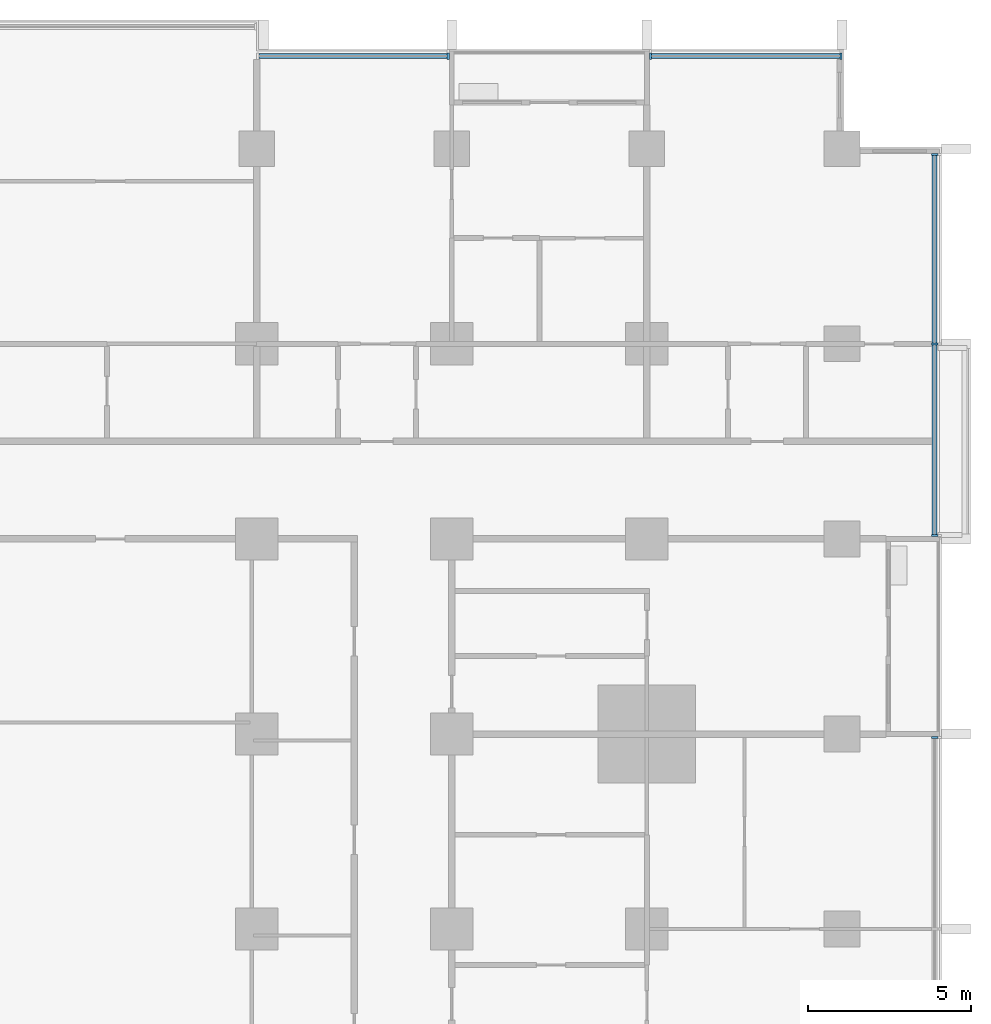
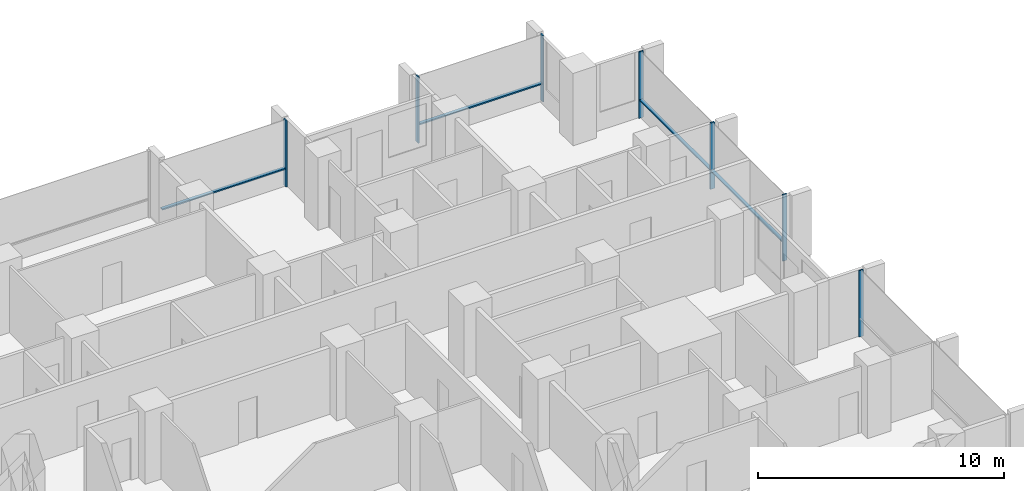
# One storey, part 5 of 18: 11 members, 4 elements without a shape of their own.
"""IFC4 building model written with IfcOpenShell, lengths in metres."""

from ifc_helpers import new_model, si_unit, direction, frame, origin, origin_2d, place, context, subcontext, project, spatial, rectangle, extrude, material, material_profile, profile_set, type_object, element, aggregate, save


model = new_model("IFC4")

# Units and contexts
model_context = context("Model", 3, precision=1e-05, world=origin(), true_north=direction((0.0, 1.0)))
body_context = subcontext(model_context, "Body", "Model", "MODEL_VIEW")
ifc_project = project(units=[si_unit("LENGTHUNIT", "METRE"), si_unit("AREAUNIT", "SQUARE_METRE"), si_unit("VOLUMEUNIT", "CUBIC_METRE"), si_unit("PLANEANGLEUNIT", "RADIAN"), si_unit("MASSUNIT", "GRAM", prefix="KILO")], contexts=[model_context])

# Site, building, storey
site_placement = place(None, origin())
site = spatial("IfcSite", under=ifc_project, at=site_placement, CompositionType="ELEMENT")
building_placement = place(site_placement, origin())
building = spatial("IfcBuilding", under=site, at=building_placement, Name="Finial Court Residences", CompositionType="ELEMENT")
storey_placement = place(building_placement, frame((0.0, 0.0, 68.5)))
storey = spatial("IfcBuildingStorey", under=building, at=storey_placement, Name="L16", CompositionType="ELEMENT", Elevation=68.5)

# Curtain wall, member
ifc_material = material(Name="Bronze anodised aluminium", Category="aluminium")
curtain_wall_type = type_object("IfcCurtainWallType", Name="Unitised curtain wall, lower and middle zones", PredefinedType="NOTDEFINED", material=ifc_material)
curtain_wall_1_placement = place(storey_placement, origin())
curtain_wall_1 = element("IfcCurtainWall", 1, at=curtain_wall_1_placement, inside=storey, type_object=curtain_wall_type, Name="E-L16-CW-N3", PredefinedType="NOTDEFINED")
ifc_material_profile_1 = material_profile(ifc_material, rectangle(XDim=0.199951171875, YDim=0.06494140625, at=origin_2d()), Name="CW1 mullion 65 x 200")
ifc_profile_set_1 = profile_set([ifc_material_profile_1], Name="Bronze anodised aluminium")
member_type_1 = type_object("IfcMemberType", Name="CW1 mullion 65 x 200", PredefinedType="MULLION", material=ifc_profile_set_1)
member_1_placement = place(storey_placement, frame((10.392578125, 28.35009765625, 0.0), z_axis=(0.0, 0.0, 1.0), x_axis=(0.0, 1.0, 0.0)))
member_1 = element("IfcMember", 2, at=member_1_placement, type_object=member_type_1, Name="CW1 mullion 2", PredefinedType="MULLION", context=body_context, shape_type="SweptSolid", body=[
    extrude(rectangle(XDim=0.199951171875, YDim=0.06494140625, at=origin_2d()), origin(), (0.0, 0.0, 1.0), 3.300048828125),
])

# Curtain wall, members
curtain_wall_2_placement = place(storey_placement, origin())
curtain_wall_2 = element("IfcCurtainWall", 3, at=curtain_wall_2_placement, inside=storey, type_object=curtain_wall_type, Name="E-L16-CW-N4", PredefinedType="NOTDEFINED")
member_2_placement = place(storey_placement, frame((16.607421875, 28.35009765625, 0.0), z_axis=(0.0, 0.0, 1.0), x_axis=(0.0, 1.0, 0.0)))
member_2 = element("IfcMember", 4, at=member_2_placement, type_object=member_type_1, Name="CW1 mullion 1", PredefinedType="MULLION", context=body_context, shape_type="SweptSolid", body=[
    extrude(rectangle(XDim=0.199951171875, YDim=0.06494140625, at=origin_2d()), origin(), (0.0, 0.0, 1.0), 3.300048828125),
])
member_3_placement = place(storey_placement, frame((22.467529296875, 28.35009765625, 0.0), z_axis=(0.0, 0.0, 1.0), x_axis=(0.0, 1.0, 0.0)))
member_3 = element("IfcMember", 5, at=member_3_placement, type_object=member_type_1, Name="CW1 mullion 2", PredefinedType="MULLION", context=body_context, shape_type="SweptSolid", body=[
    extrude(rectangle(XDim=0.199951171875, YDim=0.06494140625, at=origin_2d()), origin(), (0.0, 0.0, 1.0), 3.300048828125),
])

# Curtain wall, member
curtain_wall_3_placement = place(storey_placement, origin())
curtain_wall_3 = element("IfcCurtainWall", 6, at=curtain_wall_3_placement, inside=storey, type_object=curtain_wall_type, Name="E-L16-CW-E7", PredefinedType="NOTDEFINED")
member_4_placement = place(storey_placement, frame((25.35009765625, 7.392578125, 0.0), z_axis=(0.0, 0.0, 1.0), x_axis=(-1.0, 0.0, 0.0)))
member_4 = element("IfcMember", 7, at=member_4_placement, type_object=member_type_1, Name="CW1 mullion 3", PredefinedType="MULLION", context=body_context, shape_type="SweptSolid", body=[
    extrude(rectangle(XDim=0.199951171875, YDim=0.06494140625, at=origin_2d()), origin(), (0.0, 0.0, 1.0), 3.300048828125),
])
aggregate(curtain_wall_3, [member_4])

# Curtain wall, members
curtain_wall_4_placement = place(storey_placement, origin())
curtain_wall_4 = element("IfcCurtainWall", 8, at=curtain_wall_4_placement, inside=storey, type_object=curtain_wall_type, Name="E-L16-CW-E8", PredefinedType="NOTDEFINED")
member_5_placement = place(storey_placement, frame((25.35009765625, 13.607421875, 0.0), z_axis=(0.0, 0.0, 1.0), x_axis=(-1.0, 0.0, 0.0)))
member_5 = element("IfcMember", 9, at=member_5_placement, type_object=member_type_1, Name="CW1 mullion 1", PredefinedType="MULLION", context=body_context, shape_type="SweptSolid", body=[
    extrude(rectangle(XDim=0.199951171875, YDim=0.06494140625, at=origin_2d()), origin(), (0.0, 0.0, 1.0), 3.300048828125),
])
member_6_placement = place(storey_placement, frame((25.35009765625, 19.5, 0.0), z_axis=(0.0, 0.0, 1.0), x_axis=(-1.0, 0.0, 0.0)))
member_6 = element("IfcMember", 10, at=member_6_placement, type_object=member_type_1, Name="CW1 mullion 2", PredefinedType="MULLION", context=body_context, shape_type="SweptSolid", body=[
    extrude(rectangle(XDim=0.199951171875, YDim=0.06494140625, at=origin_2d()), origin(), (0.0, 0.0, 1.0), 3.300048828125),
])
member_7_placement = place(storey_placement, frame((25.35009765625, 25.3173828125, 0.0), z_axis=(0.0, 0.0, 1.0), x_axis=(-1.0, 0.0, 0.0)))
member_7 = element("IfcMember", 11, at=member_7_placement, type_object=member_type_1, Name="CW1 mullion 3", PredefinedType="MULLION", context=body_context, shape_type="SweptSolid", body=[
    extrude(rectangle(XDim=0.199951171875, YDim=0.06494140625, at=origin_2d()), origin(), (0.0, 0.0, 1.0), 3.300048828125),
])

# Member
ifc_material_profile_2 = material_profile(ifc_material, rectangle(XDim=0.14990234375, YDim=0.06494140625, at=origin_2d()), Name="CW1 transom 65 x 150")
ifc_profile_set_2 = profile_set([ifc_material_profile_2], Name="Bronze anodised aluminium")
member_type_2 = type_object("IfcMemberType", Name="CW1 transom 65 x 150", PredefinedType="USERDEFINED", material=ifc_profile_set_2)
member_8_placement = place(storey_placement, frame((4.56494140625, 28.35009765625, 0.89990234375), z_axis=(1.0, 0.0, 0.0), x_axis=(0.0, 1.0, 0.0)))
member_8 = element("IfcMember", 12, at=member_8_placement, type_object=member_type_2, Name="CW1 transom 1.1", ObjectType="TRANSOM", PredefinedType="USERDEFINED", context=body_context, shape_type="SweptSolid", body=[
    extrude(rectangle(XDim=0.14990234375, YDim=0.06494140625, at=origin_2d()), origin(), (0.0, 0.0, 1.0), 5.795166015625),
])

aggregate(curtain_wall_1, [member_1, member_8])

member_9_placement = place(storey_placement, frame((16.639892578125, 28.35009765625, 0.89990234375), z_axis=(1.0, 0.0, 0.0), x_axis=(0.0, 1.0, 0.0)))
member_9 = element("IfcMember", 13, at=member_9_placement, type_object=member_type_2, Name="CW1 transom 1.1", ObjectType="TRANSOM", PredefinedType="USERDEFINED", context=body_context, shape_type="SweptSolid", body=[
    extrude(rectangle(XDim=0.14990234375, YDim=0.06494140625, at=origin_2d()), origin(), (0.0, 0.0, 1.0), 5.795166015625),
])

aggregate(curtain_wall_2, [member_2, member_3, member_9])

member_10_placement = place(storey_placement, frame((25.35009765625, 13.639892578125, 0.89990234375), z_axis=(0.0, 1.0, 0.0), x_axis=(-1.0, 0.0, 0.0)))
member_10 = element("IfcMember", 14, at=member_10_placement, type_object=member_type_2, Name="CW1 transom 1.1", ObjectType="TRANSOM", PredefinedType="USERDEFINED", context=body_context, shape_type="SweptSolid", body=[
    extrude(rectangle(XDim=0.14990234375, YDim=0.06494140625, at=origin_2d()), origin(), (0.0, 0.0, 1.0), 5.82763671875),
])

member_11_placement = place(storey_placement, frame((25.35009765625, 19.532470703125, 0.89990234375), z_axis=(0.0, 1.0, 0.0), x_axis=(-1.0, 0.0, 0.0)))
member_11 = element("IfcMember", 15, at=member_11_placement, type_object=member_type_2, Name="CW1 transom 2.1", ObjectType="TRANSOM", PredefinedType="USERDEFINED", context=body_context, shape_type="SweptSolid", body=[
    extrude(rectangle(XDim=0.14990234375, YDim=0.06494140625, at=origin_2d()), origin(), (0.0, 0.0, 1.0), 5.75244140625),
])

aggregate(curtain_wall_4, [member_5, member_6, member_7, member_10, member_11])

save(model, "model.ifc")
